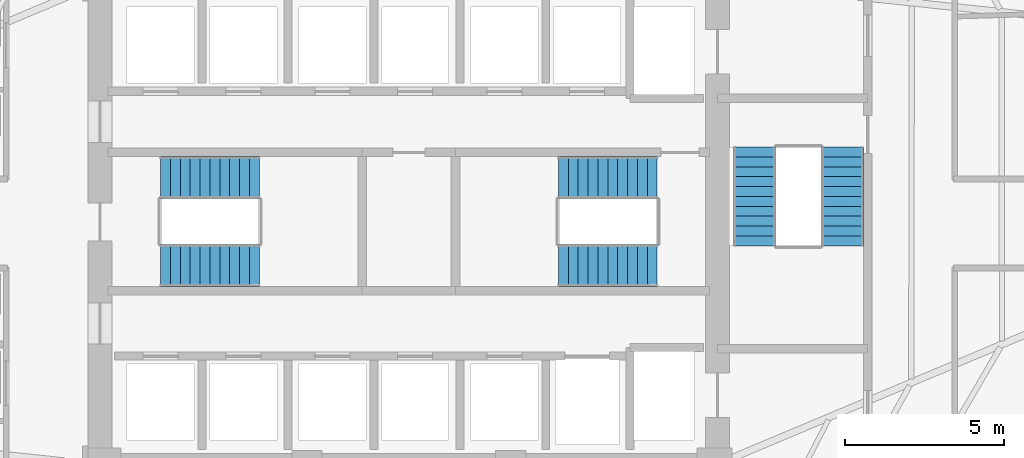
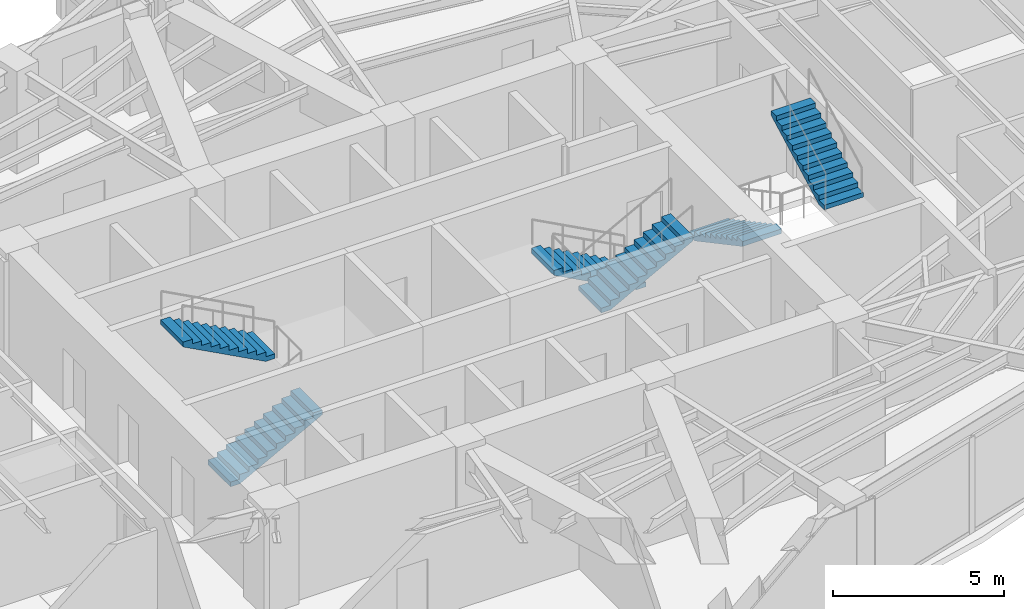
# One storey, part 22 of 24: 6 stair flights, 3 elements without a shape of their own.
"""IFC4 building model written with IfcOpenShell, lengths in metres."""

import ifcopenshell
import ifcopenshell.guid

model = None  # the IFC model being written
_history = None  # IfcOwnerHistory: only IFC2X3 demands one
_inside = {}  # id of a spatial element -> (the spatial element, [elements in it])
_under = {}  # id of a project, library or spatial element -> (it, [spatial elements below it])
_declared = {}  # id of a project -> (the project, [libraries it declares])
_typed = {}  # id of a type object -> (the type object, [elements of that type])
_made_of = {}  # id of a material, layer set ... -> (it, [elements and type objects made of it])


def new_model(schema):
    """Start an empty IFC model of exactly this schema.

    Asked for "IFC4X3", IfcOpenShell would pick the latest addendum, in which some entities
    have other attributes; the version numbers below select the first issue.
    IFC2X3 requires an IfcOwnerHistory on every rooted entity: one is made here for all.
    """
    global model, _history
    if schema == "IFC4X3":
        model = ifcopenshell.file(schema_version=(4, 3, 0, 0))
    else:
        model = ifcopenshell.file(schema=schema)
    _inside.clear()
    _under.clear()
    _declared.clear()
    _typed.clear()
    _made_of.clear()
    _history = None
    if model.schema == "IFC2X3":
        org = make("IfcOrganization", Name="unknown")
        user = make(
            "IfcPersonAndOrganization",
            ThePerson=make("IfcPerson", FamilyName="unknown"),
            TheOrganization=org,
        )
        app = make(
            "IfcApplication",
            ApplicationDeveloper=org,
            Version="unknown",
            ApplicationFullName="unknown",
            ApplicationIdentifier="unknown",
        )
        _history = make(
            "IfcOwnerHistory",
            OwningUser=user,
            OwningApplication=app,
            ChangeAction="ADDED",
            CreationDate=0,
        )
    return model


def make(cls, **values):
    """One entity of the class cls with the attributes given. An attribute that is None is left unset."""
    return model.create_entity(
        cls, **{name: value for name, value in values.items() if value is not None}
    )


def rooted(cls, **values):
    """An entity with a GlobalId (a new one), such as an element, a storey or a relation."""
    return make(cls, GlobalId=ifcopenshell.guid.new(), OwnerHistory=_history, **values)


def si_unit(unit_type, name, prefix=None):
    """IfcSIUnit, for example si_unit("LENGTHUNIT", "METRE", prefix="MILLI")."""
    return make("IfcSIUnit", UnitType=unit_type, Prefix=prefix, Name=name)


def assignment(units):
    """IfcUnitAssignment: the units of a project."""
    return None if units is None else make("IfcUnitAssignment", Units=units)


def point(xyz):
    """IfcCartesianPoint."""
    return None if xyz is None else make("IfcCartesianPoint", Coordinates=xyz)


def direction(xyz):
    """IfcDirection."""
    return None if xyz is None else make("IfcDirection", DirectionRatios=xyz)


def frame(location, z_axis=None, x_axis=None):
    """IfcAxis2Placement3D, a coordinate frame: its origin and axes. An axis left out is left unset."""
    return make(
        "IfcAxis2Placement3D",
        Location=point(location),
        Axis=direction(z_axis),
        RefDirection=direction(x_axis),
    )


def origin():
    """The frame at (0, 0, 0) with its axes left unset."""
    return frame((0.0, 0.0, 0.0))


def place(relative_to, where):
    """IfcLocalPlacement: puts the frame where relative to a parent placement (None: the world)."""
    return make(
        "IfcLocalPlacement", PlacementRelTo=relative_to, RelativePlacement=where
    )


def context(
    kind, dimensions, precision=None, world=None, true_north=None, identifier=None
):
    """IfcGeometricRepresentationContext, for example the 3D "Model" context."""
    return make(
        "IfcGeometricRepresentationContext",
        ContextIdentifier=identifier,
        ContextType=kind,
        CoordinateSpaceDimension=dimensions,
        Precision=precision,
        WorldCoordinateSystem=world,
        TrueNorth=true_north,
    )


def subcontext(parent, identifier, kind, view, scale=None):
    """IfcGeometricRepresentationSubContext, for example "Body" below "Model"."""
    return make(
        "IfcGeometricRepresentationSubContext",
        ContextIdentifier=identifier,
        ContextType=kind,
        ParentContext=parent,
        TargetScale=scale,
        TargetView=view,
    )


def project(units=None, contexts=None):
    """IfcProject with its units and contexts."""
    return rooted(
        "IfcProject",
        Name="project",
        RepresentationContexts=contexts,
        UnitsInContext=assignment(units),
    )


def spatial(cls, under=None, at=None, **own):
    """A site, building, storey or space (cls), placed at a placement, below another one or the project."""
    s = rooted(cls, ObjectPlacement=at, **own)
    if under is not None:
        _under.setdefault(under.id(), (under, []))[1].append(s)
    return s


def polyline(points):
    """IfcPolyline through the points."""
    return make("IfcPolyline", Points=[point(p) for p in points])


def outline(outer, holes=None, kind="AREA"):
    """IfcArbitraryClosedProfileDef: a profile drawn as a closed curve; with holes, ...WithVoids."""
    if holes is None:
        return make("IfcArbitraryClosedProfileDef", ProfileType=kind, OuterCurve=outer)
    return make(
        "IfcArbitraryProfileDefWithVoids",
        ProfileType=kind,
        OuterCurve=outer,
        InnerCurves=holes,
    )


def extrude(swept, where, along, depth):
    """IfcExtrudedAreaSolid: the profile swept, set in the frame where, extruded along a direction by depth."""
    return make(
        "IfcExtrudedAreaSolid",
        SweptArea=swept,
        Position=where,
        ExtrudedDirection=direction(along),
        Depth=depth,
    )


def shape(context_of_items, identifier, shape_type, items):
    """IfcShapeRepresentation: the items that make up one representation, for example the "Body"."""
    return make(
        "IfcShapeRepresentation",
        ContextOfItems=context_of_items,
        RepresentationIdentifier=identifier,
        RepresentationType=shape_type,
        Items=items,
    )


def material(Name=None, Category=None):
    """IfcMaterial."""
    return make("IfcMaterial", Name=Name, Category=Category)


def made_of(thing, what):
    """Note that an element or type object is made of a material, layer set ...; save() writes the relation."""
    if what is not None:
        _made_of.setdefault(what.id(), (what, []))[1].append(thing)
    return thing


def type_object(cls, material=None, **own):
    """A type object (cls), such as IfcWallType, which elements share."""
    return made_of(rooted(cls, **own), material)


def element(
    cls,
    number,
    at=None,
    inside=None,
    cuts=None,
    type_object=None,
    material=None,
    context=None,
    identifier="Body",
    shape_type=None,
    held_by="IfcProductDefinitionShape",
    body=None,
    shapes=None,
    **own,
):
    """One element of the class cls, such as IfcWall. Its Tag is "e" and its number.

    at: its placement. inside: the storey or other place that contains it. cuts: it is an
    opening in that element (IfcRelVoidsElement). A single representation is given by context,
    identifier, shape_type and body (its items); several are given by shapes. held_by: the class
    of the entity that holds the representations. save() writes the other relations.
    """
    e = rooted(cls, Tag="e%d" % number, ObjectPlacement=at, **own)
    if body is not None:
        shapes = [shape(context, identifier, shape_type, body)]
    if shapes is not None:
        e.Representation = make(held_by, Representations=shapes)
    if inside is not None:
        _inside.setdefault(inside.id(), (inside, []))[1].append(e)
    if cuts is not None:
        rooted(
            "IfcRelVoidsElement", RelatingBuildingElement=cuts, RelatedOpeningElement=e
        )
    if type_object is not None:
        _typed.setdefault(type_object.id(), (type_object, []))[1].append(e)
    return made_of(e, material)


def aggregate(whole, parts):
    """IfcRelAggregates: a whole, such as a stair, and the parts it consists of."""
    return rooted("IfcRelAggregates", RelatingObject=whole, RelatedObjects=parts)


def save(model, path):
    """Write the relations noted so far, then the file.

    IfcRelAggregates (storeys below a building ...), IfcRelContainedInSpatialStructure (elements
    in a storey), IfcRelDefinesByType, IfcRelAssociatesMaterial and IfcRelDeclares: one each for
    every whole, place, type object, material and project.
    """
    for whole, parts in _under.values():
        aggregate(whole, parts)
    for where, things in _inside.values():
        rooted(
            "IfcRelContainedInSpatialStructure",
            RelatedElements=things,
            RelatingStructure=where,
        )
    for kind, things in _typed.values():
        rooted("IfcRelDefinesByType", RelatedObjects=things, RelatingType=kind)
    for what, things in _made_of.values():
        rooted("IfcRelAssociatesMaterial", RelatedObjects=things, RelatingMaterial=what)
    for by, libraries in _declared.values():
        rooted("IfcRelDeclares", RelatingContext=by, RelatedDefinitions=libraries)
    model.write(path)


model = new_model("IFC4")

# Units and contexts
model_context = context("Model", 3, precision=1e-05, world=origin(), true_north=direction((0.0, 1.0)))
body_context = subcontext(model_context, "Body", "Model", "MODEL_VIEW")
ifc_project = project(units=[si_unit("LENGTHUNIT", "METRE"), si_unit("AREAUNIT", "SQUARE_METRE"), si_unit("VOLUMEUNIT", "CUBIC_METRE"), si_unit("PLANEANGLEUNIT", "RADIAN"), si_unit("MASSUNIT", "GRAM", prefix="KILO")], contexts=[model_context])

# Site, building, storey
site_placement = place(None, origin())
site = spatial("IfcSite", under=ifc_project, at=site_placement, CompositionType="ELEMENT")
building_placement = place(site_placement, origin())
building = spatial("IfcBuilding", under=site, at=building_placement, Name="Lazwardi Medical Tower", CompositionType="ELEMENT")
storey_placement = place(building_placement, frame((0.0, 0.0, 96.3359375)))
storey = spatial("IfcBuildingStorey", under=building, at=storey_placement, Name="L24", CompositionType="ELEMENT", Elevation=96.3359375)

# Stair, stair flights
ifc_material = material(Name="Concrete C45/55", Category="concrete")
stair_type = type_object("IfcStairType", Name="STR-WRD", PredefinedType="HALF_TURN_STAIR", material=ifc_material)
stair_1_placement = place(storey_placement, origin())
stair_1 = element("IfcStair", 1, at=stair_1_placement, inside=storey, type_object=stair_type, Name="L24 Protected Exit Stair ST1", PredefinedType="HALF_TURN_STAIR")
stair_flight_type = type_object("IfcStairFlightType", Name="FLT-WRD", PredefinedType="STRAIGHT", material=ifc_material)
stair_flight_1_placement = place(storey_placement, frame((28.199951171875, 26.679931640625, 0.0), z_axis=(0.0, 0.0, 1.0), x_axis=(1.0, 0.0, 0.0)))
stair_flight_1 = element("IfcStairFlight", 2, at=stair_flight_1_placement, type_object=stair_flight_type, Name="ST1 flight 1", NumberOfRisers=11, NumberOfTreads=10, PredefinedType="STRAIGHT", RiserHeight=0.165818182, TreadLength=0.31, context=body_context, shape_type="SweptSolid", body=[
    extrude(outline(polyline([(0.0, 0.0), (0.0, 0.165771484375), (0.31005859375, 0.165771484375), (0.31005859375, 0.33154296875), (0.6201171875, 0.33154296875), (0.6201171875, 0.49755859375), (0.929931640625, 0.49755859375), (0.929931640625, 0.663330078125), (1.239990234375, 0.663330078125), (1.239990234375, 0.8291015625), (1.550048828125, 0.8291015625), (1.550048828125, 0.994873046875), (1.860107421875, 0.994873046875), (1.860107421875, 1.16064453125), (2.169921875, 1.16064453125), (2.169921875, 1.32666015625), (2.47998046875, 1.32666015625), (2.47998046875, 1.492431640625), (2.7900390625, 1.492431640625), (2.7900390625, 1.658203125), (3.10009765625, 1.658203125), (3.10009765625, 1.823974609375), (3.10009765625, 1.48828125), (0.31787109375, 0.0), (0.0, 0.0)])), frame((0.0, 0.66015625, 0.0), z_axis=(0.0, -1.0, 0.0), x_axis=(1.0, 0.0, 0.0)), (0.0, 0.0, 1.0), 1.320068359375),
])
stair_flight_2_placement = place(storey_placement, frame((31.300048828125, 29.43994140625, 1.823974609375), z_axis=(0.0, 0.0, 1.0), x_axis=(-1.0, 0.0, 0.0)))
stair_flight_2 = element("IfcStairFlight", 3, at=stair_flight_2_placement, type_object=stair_flight_type, Name="ST1 flight 2", NumberOfRisers=11, NumberOfTreads=10, PredefinedType="STRAIGHT", RiserHeight=0.165818182, TreadLength=0.31, context=body_context, shape_type="SweptSolid", body=[
    extrude(outline(polyline([(0.0, 0.0), (0.0, 0.165771484375), (0.31005859375, 0.165771484375), (0.31005859375, 0.33154296875), (0.6201171875, 0.33154296875), (0.6201171875, 0.49755859375), (0.929931640625, 0.49755859375), (0.929931640625, 0.663330078125), (1.239990234375, 0.663330078125), (1.239990234375, 0.8291015625), (1.550048828125, 0.8291015625), (1.550048828125, 0.994873046875), (1.860107421875, 0.994873046875), (1.860107421875, 1.16064453125), (2.169921875, 1.16064453125), (2.169921875, 1.32666015625), (2.47998046875, 1.32666015625), (2.47998046875, 1.492431640625), (2.7900390625, 1.492431640625), (2.7900390625, 1.658203125), (3.10009765625, 1.658203125), (3.10009765625, 1.823974609375), (3.10009765625, 1.48828125), (0.31787109375, 0.0), (0.0, 0.0)])), frame((0.0, 0.66015625, 0.0), z_axis=(0.0, -1.0, 0.0), x_axis=(1.0, 0.0, 0.0)), (0.0, 0.0, 1.0), 1.320068359375),
])
aggregate(stair_1, [stair_flight_1, stair_flight_2])

stair_2_placement = place(storey_placement, origin())
stair_2 = element("IfcStair", 4, at=stair_2_placement, inside=storey, type_object=stair_type, Name="L24 Protected Exit Stair ST2", PredefinedType="HALF_TURN_STAIR")
stair_flight_3_placement = place(storey_placement, frame((43.800048828125, 29.43994140625, 0.0), z_axis=(0.0, 0.0, 1.0), x_axis=(-1.0, 0.0, 0.0)))
stair_flight_3 = element("IfcStairFlight", 5, at=stair_flight_3_placement, type_object=stair_flight_type, Name="ST2 flight 1", NumberOfRisers=11, NumberOfTreads=10, PredefinedType="STRAIGHT", RiserHeight=0.165818182, TreadLength=0.31, context=body_context, shape_type="SweptSolid", body=[
    extrude(outline(polyline([(0.0, 0.0), (0.0, 0.165771484375), (0.31005859375, 0.165771484375), (0.31005859375, 0.33154296875), (0.6201171875, 0.33154296875), (0.6201171875, 0.49755859375), (0.929931640625, 0.49755859375), (0.929931640625, 0.663330078125), (1.239990234375, 0.663330078125), (1.239990234375, 0.8291015625), (1.550048828125, 0.8291015625), (1.550048828125, 0.994873046875), (1.860107421875, 0.994873046875), (1.860107421875, 1.16064453125), (2.169921875, 1.16064453125), (2.169921875, 1.32666015625), (2.47998046875, 1.32666015625), (2.47998046875, 1.492431640625), (2.7900390625, 1.492431640625), (2.7900390625, 1.658203125), (3.10009765625, 1.658203125), (3.10009765625, 1.823974609375), (3.10009765625, 1.48828125), (0.31787109375, 0.0), (0.0, 0.0)])), frame((0.0, 0.66015625, 0.0), z_axis=(0.0, -1.0, 0.0), x_axis=(1.0, 0.0, 0.0)), (0.0, 0.0, 1.0), 1.320068359375),
])
stair_flight_4_placement = place(storey_placement, frame((40.699951171875, 26.679931640625, 1.823974609375), z_axis=(0.0, 0.0, 1.0), x_axis=(1.0, 0.0, 0.0)))
stair_flight_4 = element("IfcStairFlight", 6, at=stair_flight_4_placement, type_object=stair_flight_type, Name="ST2 flight 2", NumberOfRisers=11, NumberOfTreads=10, PredefinedType="STRAIGHT", RiserHeight=0.165818182, TreadLength=0.31, context=body_context, shape_type="SweptSolid", body=[
    extrude(outline(polyline([(0.0, 0.0), (0.0, 0.165771484375), (0.31005859375, 0.165771484375), (0.31005859375, 0.33154296875), (0.6201171875, 0.33154296875), (0.6201171875, 0.49755859375), (0.929931640625, 0.49755859375), (0.929931640625, 0.663330078125), (1.239990234375, 0.663330078125), (1.239990234375, 0.8291015625), (1.550048828125, 0.8291015625), (1.550048828125, 0.994873046875), (1.860107421875, 0.994873046875), (1.860107421875, 1.16064453125), (2.169921875, 1.16064453125), (2.169921875, 1.32666015625), (2.47998046875, 1.32666015625), (2.47998046875, 1.492431640625), (2.7900390625, 1.492431640625), (2.7900390625, 1.658203125), (3.10009765625, 1.658203125), (3.10009765625, 1.823974609375), (3.10009765625, 1.48828125), (0.31787109375, 0.0), (0.0, 0.0)])), frame((0.0, 0.66015625, 0.0), z_axis=(0.0, -1.0, 0.0), x_axis=(1.0, 0.0, 0.0)), (0.0, 0.0, 1.0), 1.320068359375),
])
aggregate(stair_2, [stair_flight_3, stair_flight_4])

stair_3_placement = place(storey_placement, origin())
stair_3 = element("IfcStair", 7, at=stair_3_placement, inside=storey, type_object=stair_type, Name="L24 Protected Exit Stair ST3", PredefinedType="HALF_TURN_STAIR")
stair_flight_5_placement = place(storey_placement, frame((46.860107421875, 30.39990234375, 0.0), z_axis=(0.0, 0.0, 1.0), x_axis=(0.0, -1.0, 0.0)))
stair_flight_5 = element("IfcStairFlight", 8, at=stair_flight_5_placement, type_object=stair_flight_type, Name="ST3 flight 1", NumberOfRisers=11, NumberOfTreads=10, PredefinedType="STRAIGHT", RiserHeight=0.165818182, TreadLength=0.31, context=body_context, shape_type="SweptSolid", body=[
    extrude(outline(polyline([(0.0, 0.0), (0.0, 0.165771484375), (0.31005859375, 0.165771484375), (0.31005859375, 0.33154296875), (0.6201171875, 0.33154296875), (0.6201171875, 0.49755859375), (0.929931640625, 0.49755859375), (0.929931640625, 0.663330078125), (1.239990234375, 0.663330078125), (1.239990234375, 0.8291015625), (1.550048828125, 0.8291015625), (1.550048828125, 0.994873046875), (1.860107421875, 0.994873046875), (1.860107421875, 1.16064453125), (2.169921875, 1.16064453125), (2.169921875, 1.32666015625), (2.47998046875, 1.32666015625), (2.47998046875, 1.492431640625), (2.7900390625, 1.492431640625), (2.7900390625, 1.658203125), (3.10009765625, 1.658203125), (3.10009765625, 1.823974609375), (3.10009765625, 1.48828125), (0.31787109375, 0.0), (0.0, 0.0)])), frame((0.0, 0.66015625, 0.0), z_axis=(0.0, -1.0, 0.0), x_axis=(1.0, 0.0, 0.0)), (0.0, 0.0, 1.0), 1.320068359375),
])
stair_flight_6_placement = place(storey_placement, frame((49.6201171875, 27.300048828125, 1.823974609375), z_axis=(0.0, 0.0, 1.0), x_axis=(0.0, 1.0, 0.0)))
stair_flight_6 = element("IfcStairFlight", 9, at=stair_flight_6_placement, type_object=stair_flight_type, Name="ST3 flight 2", NumberOfRisers=11, NumberOfTreads=10, PredefinedType="STRAIGHT", RiserHeight=0.165818182, TreadLength=0.31, context=body_context, shape_type="SweptSolid", body=[
    extrude(outline(polyline([(0.0, 0.0), (0.0, 0.165771484375), (0.31005859375, 0.165771484375), (0.31005859375, 0.33154296875), (0.6201171875, 0.33154296875), (0.6201171875, 0.49755859375), (0.929931640625, 0.49755859375), (0.929931640625, 0.663330078125), (1.239990234375, 0.663330078125), (1.239990234375, 0.8291015625), (1.550048828125, 0.8291015625), (1.550048828125, 0.994873046875), (1.860107421875, 0.994873046875), (1.860107421875, 1.16064453125), (2.169921875, 1.16064453125), (2.169921875, 1.32666015625), (2.47998046875, 1.32666015625), (2.47998046875, 1.492431640625), (2.7900390625, 1.492431640625), (2.7900390625, 1.658203125), (3.10009765625, 1.658203125), (3.10009765625, 1.823974609375), (3.10009765625, 1.48828125), (0.31787109375, 0.0), (0.0, 0.0)])), frame((0.0, 0.66015625, 0.0), z_axis=(0.0, -1.0, 0.0), x_axis=(1.0, 0.0, 0.0)), (0.0, 0.0, 1.0), 1.320068359375),
])
aggregate(stair_3, [stair_flight_5, stair_flight_6])

save(model, "model.ifc")
